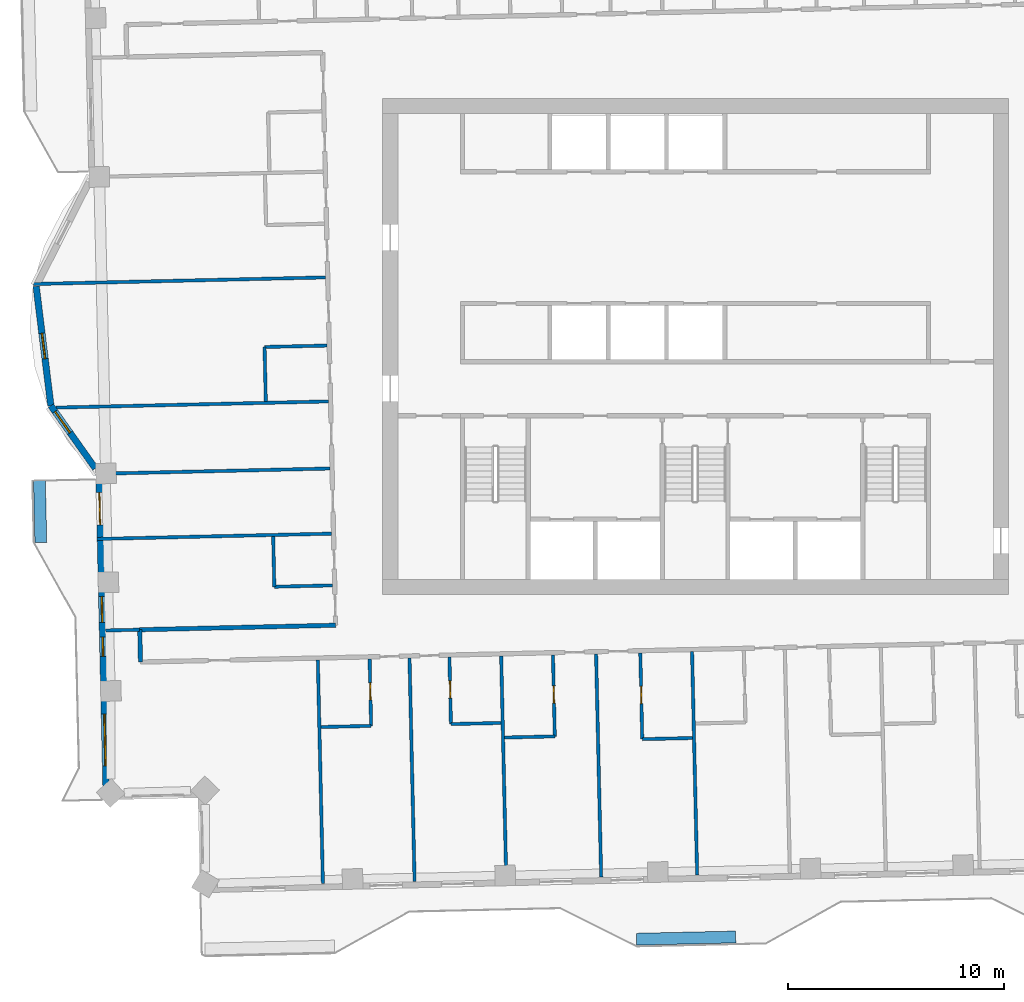
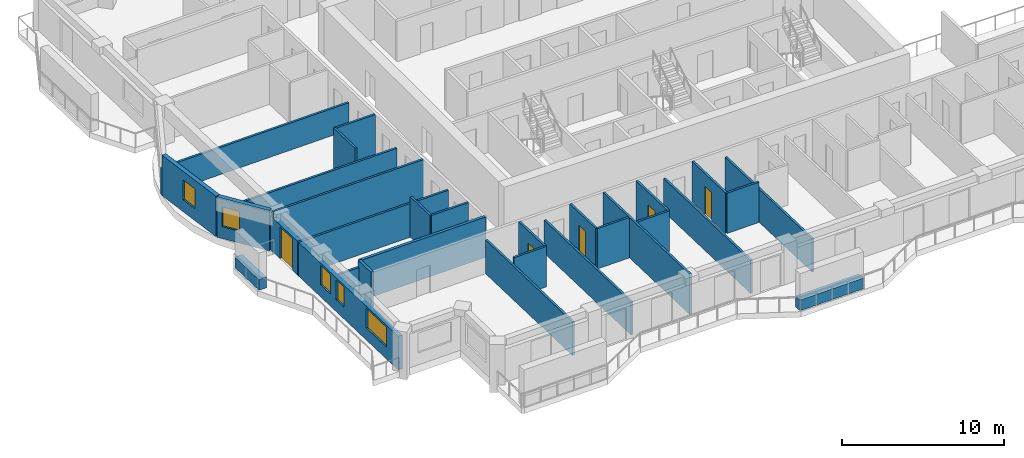
# One storey, part 8 of 19: 29 walls, 5 doors, 5 windows, 10 openings.
"""IFC4 building model written with IfcOpenShell, lengths in metres."""

from ifc_helpers import new_model, si_unit, direction, frame, frame_2d, origin, place, context, subcontext, project, spatial, rectangle, extrude, material, layer, layer_set, type_object, element, fill, save


model = new_model("IFC4")

# Units and contexts
model_context = context("Model", 3, precision=1e-05, world=origin(), true_north=direction((0.0, 1.0)))
body_context = subcontext(model_context, "Body", "Model", "MODEL_VIEW")
ifc_project = project(units=[si_unit("LENGTHUNIT", "METRE"), si_unit("AREAUNIT", "SQUARE_METRE"), si_unit("VOLUMEUNIT", "CUBIC_METRE"), si_unit("PLANEANGLEUNIT", "RADIAN"), si_unit("MASSUNIT", "GRAM", prefix="KILO")], contexts=[model_context])

# Site, building, storey
site_placement = place(None, origin())
site = spatial("IfcSite", under=ifc_project, at=site_placement, CompositionType="ELEMENT")
building_placement = place(site_placement, origin())
building = spatial("IfcBuilding", under=site, at=building_placement, Name="Mangrove Gate Tower", CompositionType="ELEMENT")
storey_placement = place(building_placement, frame((0.0, 0.0, 283.5)))
storey = spatial("IfcBuildingStorey", under=building, at=storey_placement, Name="L72", CompositionType="ELEMENT", Elevation=283.5)

# Walls
ifc_material_1 = material(Name="Gypsum board on steel stud, EI 60", Category="steel")
ifc_layer_1 = layer(ifc_material_1, 0.199951171875)
ifc_layer_set_1 = layer_set([ifc_layer_1], Name="Corridor wall EI 60")
wall_type_1 = type_object("IfcWallType", Name="Corridor wall EI 60", PredefinedType="PARTITIONING", material=ifc_layer_set_1)
wall_1_placement = place(storey_placement, frame((-25.72802734375, -14.6240234375, 0.0), z_axis=(0.0, 0.0, 1.0), x_axis=(-0.022632637625, 0.99974384905, 0.0)))
element("IfcWall", 1, at=wall_1_placement, inside=storey, type_object=wall_type_1, Name="WALL-L72-029", PredefinedType="PARTITIONING", context=body_context, shape_type="SweptSolid", body=[
    extrude(rectangle(XDim=1.49951171875, YDim=0.199951171875, at=frame_2d((0.749755859375, 0.0))), origin(), (0.0, 0.0, 1.0), 3.050048828125),
])
wall_2_placement = place(storey_placement, frame((-25.764892578125, -13.125, 0.0), z_axis=(0.0, 0.0, 1.0), x_axis=(0.999740502457, 0.022779985654, 0.0)))
element("IfcWall", 2, at=wall_2_placement, inside=storey, type_object=wall_type_1, Name="WALL-L72-032", PredefinedType="PARTITIONING", context=body_context, shape_type="SweptSolid", body=[
    extrude(rectangle(XDim=9.08837890625, YDim=0.199951171875, at=frame_2d((4.544189453125, 0.0))), origin(), (0.0, 0.0, 1.0), 3.050048828125),
])

# Wall, opening, window
ifc_material_2 = material(Name="Limestone", Category="masonry")
ifc_layer_2 = layer(ifc_material_2, 0.0400390625, Name="Limestone cladding")
ifc_material_3 = material(Name="Ventilated air gap")
ifc_layer_3 = layer(ifc_material_3, 0.0400390625, Name="Ventilated cavity")
ifc_material_4 = material(Name="Mineral wool insulation")
ifc_layer_4 = layer(ifc_material_4, 0.06005859375, Name="Insulation")
ifc_material_5 = material(Name="Breather membrane")
ifc_layer_5 = layer(ifc_material_5, 0.001953125, Name="Breather membrane")
ifc_material_6 = material(Name="Concrete C20/25 blockwork", Category="masonry")
ifc_layer_6 = layer(ifc_material_6, 0.14990234375, Name="Blockwork backing wall")
ifc_material_7 = material(Name="Gypsum plaster")
ifc_layer_7 = layer(ifc_material_7, 0.008056640625, Name="Internal plaster")
ifc_layer_set_2 = layer_set([ifc_layer_2, ifc_layer_3, ifc_layer_4, ifc_layer_5, ifc_layer_6, ifc_layer_7], Name="External wall 300 limestone cladding")
wall_type_2 = type_object("IfcWallType", Name="External wall 300 limestone cladding", PredefinedType="SOLIDWALL", material=ifc_layer_set_2)
wall_3_placement = place(storey_placement, frame((-30.56396484375, 2.7939453125, 0.0), z_axis=(0.0, 0.0, 1.0), x_axis=(0.122163831021, -0.992509948761, 0.0)))
wall_3 = element("IfcWall", 3, at=wall_3_placement, inside=storey, type_object=wall_type_2, Name="WALL-L72-W9f2", PredefinedType="SOLIDWALL", context=body_context, shape_type="SweptSolid", body=[
    extrude(rectangle(XDim=5.57373046875, YDim=0.300048828125, at=frame_2d((2.786865234375, 0.0))), origin(), (0.0, 0.0, 1.0), 3.050048828125),
])
opening_1_placement = place(wall_3_placement, frame((2.18701171875, 0.0, 0.89990234375)))
opening_1 = element("IfcOpeningElement", 4, at=opening_1_placement, cuts=wall_3, Name="Opening W1", PredefinedType="OPENING", context=body_context, shape_type="SweptSolid", body=[
    extrude(rectangle(XDim=1.199951171875, YDim=1.5, at=frame_2d((0.60009765625, 0.75))), frame((0.0, 0.159912109375, 0.0), z_axis=(0.0, -1.0, 0.0), x_axis=(1.0, 0.0, 0.0)), (0.0, 0.0, 1.0), 0.320068359375),
])
ifc_material_8 = material(Name="Aluminium frame with double-glazed low-e glass", Category="aluminium")
window_type_1 = type_object("IfcWindowType", Name="Side lite 1200x1500", PartitioningType="SINGLE_PANEL", PredefinedType="WINDOW", material=ifc_material_8)
window_1_placement = place(opening_1_placement, origin())
window_1 = element("IfcWindow", 5, at=window_1_placement, inside=storey, type_object=window_type_1, Name="WIN-L72-W9f2", OverallHeight=1.5, OverallWidth=1.199951171875, PartitioningType="SINGLE_PANEL", PredefinedType="WINDOW", context=body_context, shape_type="SweptSolid", body=[
    extrude(rectangle(XDim=1.199951171875, YDim=1.5, at=frame_2d((0.60009765625, 0.75))), frame((0.0, 0.030029296875, 0.0), z_axis=(0.0, -1.0, 0.0), x_axis=(1.0, 0.0, 0.0)), (0.0, 0.0, 1.0), 0.06005859375),
])
fill(opening_1, window_1)

wall_4_placement = place(storey_placement, frame((-29.883056640625, -2.738037109375, 0.0), z_axis=(0.0, 0.0, 1.0), x_axis=(0.578095163598, -0.815969351033, 0.0)))
wall_4 = element("IfcWall", 6, at=wall_4_placement, inside=storey, type_object=wall_type_2, Name="WALL-L72-W9f3", PredefinedType="SOLIDWALL", context=body_context, shape_type="SweptSolid", body=[
    extrude(rectangle(XDim=3.568603515625, YDim=0.300048828125, at=frame_2d((1.7841796875, 0.0))), origin(), (0.0, 0.0, 1.0), 3.050048828125),
])
opening_2_placement = place(wall_4_placement, frame((0.337890625, 0.0, 0.89990234375)))
opening_2 = element("IfcOpeningElement", 7, at=opening_2_placement, cuts=wall_4, Name="Opening W1", PredefinedType="OPENING", context=body_context, shape_type="SweptSolid", body=[
    extrude(rectangle(XDim=1.199951171875, YDim=1.5, at=frame_2d((0.60009765625, 0.75))), frame((0.0, 0.159912109375, 0.0), z_axis=(0.0, -1.0, 0.0), x_axis=(1.0, 0.0, 0.0)), (0.0, 0.0, 1.0), 0.320068359375),
])
window_2_placement = place(opening_2_placement, origin())
window_2 = element("IfcWindow", 8, at=window_2_placement, inside=storey, type_object=window_type_1, Name="WIN-L72-W9f3", OverallHeight=1.5, OverallWidth=1.199951171875, PartitioningType="SINGLE_PANEL", PredefinedType="WINDOW", context=body_context, shape_type="SweptSolid", body=[
    extrude(rectangle(XDim=1.199951171875, YDim=1.5, at=frame_2d((0.60009765625, 0.75))), frame((0.0, 0.030029296875, 0.0), z_axis=(0.0, -1.0, 0.0), x_axis=(1.0, 0.0, 0.0)), (0.0, 0.0, 1.0), 0.06005859375),
])
fill(opening_2, window_2)

# Wall, openings, door, windows
wall_5_placement = place(storey_placement, frame((-27.6650390625, -5.416015625, 0.0), z_axis=(0.0, 0.0, 1.0), x_axis=(0.022660024814, -0.999743228672, 0.0)))
wall_5 = element("IfcWall", 9, at=wall_5_placement, inside=storey, type_object=wall_type_2, Name="WALL-L72-W10s1", PredefinedType="SOLIDWALL", context=body_context, shape_type="SweptSolid", body=[
    extrude(rectangle(XDim=15.449951171875, YDim=0.300048828125, at=frame_2d((7.72509765625, 0.0))), origin(), (0.0, 0.0, 1.0), 2.550048828125),
])
opening_3_placement = place(wall_5_placement, frame((1.35009765625, 0.0, 0.0)))
opening_3 = element("IfcOpeningElement", 10, at=opening_3_placement, cuts=wall_5, Name="Opening BD1", PredefinedType="OPENING", context=body_context, shape_type="SweptSolid", body=[
    extrude(rectangle(XDim=1.5, YDim=2.39990234375, at=frame_2d((0.75, 1.199951171875))), frame((0.0, 0.159912109375, 0.0), z_axis=(0.0, -1.0, 0.0), x_axis=(1.0, 0.0, 0.0)), (0.0, 0.0, 1.0), 0.320068359375),
])
opening_4_placement = place(wall_5_placement, frame((6.1708984375, 0.0, 0.89990234375)))
opening_4 = element("IfcOpeningElement", 11, at=opening_4_placement, cuts=wall_5, Name="Opening W1", PredefinedType="OPENING", context=body_context, shape_type="SweptSolid", body=[
    extrude(rectangle(XDim=1.199951171875, YDim=1.5, at=frame_2d((0.60009765625, 0.75))), frame((0.0, 0.159912109375, 0.0), z_axis=(0.0, -1.0, 0.0), x_axis=(1.0, 0.0, 0.0)), (0.0, 0.0, 1.0), 0.320068359375),
])
opening_5_placement = place(wall_5_placement, frame((8.050048828125, 0.0, 0.89990234375)))
opening_5 = element("IfcOpeningElement", 12, at=opening_5_placement, cuts=wall_5, Name="Opening W5", PredefinedType="OPENING", context=body_context, shape_type="SweptSolid", body=[
    extrude(rectangle(XDim=0.89990234375, YDim=1.5, at=frame_2d((0.449951171875, 0.75))), frame((0.0, 0.159912109375, 0.0), z_axis=(0.0, -1.0, 0.0), x_axis=(1.0, 0.0, 0.0)), (0.0, 0.0, 1.0), 0.320068359375),
])
opening_6_placement = place(wall_5_placement, frame((11.625, 0.0, 0.89990234375)))
opening_6 = element("IfcOpeningElement", 13, at=opening_6_placement, cuts=wall_5, Name="Opening W2", PredefinedType="OPENING", context=body_context, shape_type="SweptSolid", body=[
    extrude(rectangle(XDim=2.39990234375, YDim=1.5, at=frame_2d((1.199951171875, 0.75))), frame((0.0, 0.159912109375, 0.0), z_axis=(0.0, -1.0, 0.0), x_axis=(1.0, 0.0, 0.0)), (0.0, 0.0, 1.0), 0.320068359375),
])
ifc_material_9 = material(Name="Aluminium frame with laminated clear glass", Category="aluminium")
door_type_1 = type_object("IfcDoorType", Name="Balcony sliding door 1500x2400", OperationType="SLIDING_TO_LEFT", PredefinedType="DOOR", material=ifc_material_9)
door_1_placement = place(opening_3_placement, origin())
door_1 = element("IfcDoor", 14, at=door_1_placement, inside=storey, type_object=door_type_1, Name="DOOR-L72-W10-1", OperationType="SLIDING_TO_LEFT", OverallHeight=2.39990234375, OverallWidth=1.5, PredefinedType="DOOR", context=body_context, shape_type="SweptSolid", body=[
    extrude(rectangle(XDim=1.5, YDim=2.39990234375, at=frame_2d((0.75, 1.199951171875))), frame((0.0, 0.02490234375, 0.0), z_axis=(0.0, -1.0, 0.0), x_axis=(1.0, 0.0, 0.0)), (0.0, 0.0, 1.0), 0.050048828125),
])
fill(opening_3, door_1)
ifc_material_10 = material(Name="Aluminium frame with double-glazed low-e glass", Category="aluminium")
window_type_2 = type_object("IfcWindowType", Name="Corner room window 2400x1500", PartitioningType="DOUBLE_PANEL_VERTICAL", PredefinedType="WINDOW", material=ifc_material_10)
window_3_placement = place(opening_6_placement, origin())
window_3 = element("IfcWindow", 15, at=window_3_placement, inside=storey, type_object=window_type_2, Name="WIN-L72-W10-4", OverallHeight=1.5, OverallWidth=2.39990234375, PartitioningType="DOUBLE_PANEL_VERTICAL", PredefinedType="WINDOW", context=body_context, shape_type="SweptSolid", body=[
    extrude(rectangle(XDim=2.39990234375, YDim=1.5, at=frame_2d((1.199951171875, 0.75))), frame((0.0, 0.030029296875, 0.0), z_axis=(0.0, -1.0, 0.0), x_axis=(1.0, 0.0, 0.0)), (0.0, 0.0, 1.0), 0.06005859375),
])
fill(opening_6, window_3)
ifc_material_11 = material(Name="Aluminium frame with double-glazed low-e glass", Category="aluminium")
window_type_3 = type_object("IfcWindowType", Name="Narrow window 900x1500", PartitioningType="SINGLE_PANEL", PredefinedType="WINDOW", material=ifc_material_11)
window_4_placement = place(opening_5_placement, origin())
window_4 = element("IfcWindow", 16, at=window_4_placement, inside=storey, type_object=window_type_3, Name="WIN-L72-W10-3", OverallHeight=1.5, OverallWidth=0.89990234375, PartitioningType="SINGLE_PANEL", PredefinedType="WINDOW", context=body_context, shape_type="SweptSolid", body=[
    extrude(rectangle(XDim=0.89990234375, YDim=1.5, at=frame_2d((0.449951171875, 0.75))), frame((0.0, 0.030029296875, 0.0), z_axis=(0.0, -1.0, 0.0), x_axis=(1.0, 0.0, 0.0)), (0.0, 0.0, 1.0), 0.06005859375),
])
fill(opening_5, window_4)
window_5_placement = place(opening_4_placement, origin())
window_5 = element("IfcWindow", 17, at=window_5_placement, inside=storey, type_object=window_type_1, Name="WIN-L72-W10-2", OverallHeight=1.5, OverallWidth=1.199951171875, PartitioningType="SINGLE_PANEL", PredefinedType="WINDOW", context=body_context, shape_type="SweptSolid", body=[
    extrude(rectangle(XDim=1.199951171875, YDim=1.5, at=frame_2d((0.60009765625, 0.75))), frame((0.0, 0.030029296875, 0.0), z_axis=(0.0, -1.0, 0.0), x_axis=(1.0, 0.0, 0.0)), (0.0, 0.0, 1.0), 0.06005859375),
])
fill(opening_4, window_5)

# Walls
ifc_material_12 = material(Name="Gypsum board on steel stud, EI 60", Category="steel")
ifc_layer_8 = layer(ifc_material_12, 0.14990234375)
ifc_layer_set_3 = layer_set([ifc_layer_8], Name="Party wall 150 EI 60")
wall_type_3 = type_object("IfcWallType", Name="Party wall 150 EI 60", PredefinedType="PARTITIONING", material=ifc_layer_set_3)
wall_6_placement = place(storey_placement, frame((-17.27294921875, -24.885009765625, 0.0), z_axis=(0.0, 0.0, 1.0), x_axis=(-0.022716582742, 0.999741945138, 0.0)))
element("IfcWall", 18, at=wall_6_placement, inside=storey, type_object=wall_type_3, Name="WALL-L72-001", PredefinedType="PARTITIONING", context=body_context, shape_type="SweptSolid", body=[
    extrude(rectangle(XDim=10.349609375, YDim=0.14990234375, at=frame_2d((5.1748046875, 0.0))), origin(), (0.0, 0.0, 1.0), 2.550048828125),
])
wall_7_placement = place(storey_placement, frame((-13.02392578125, -24.7890625, 0.0), z_axis=(0.0, 0.0, 1.0), x_axis=(-0.022713904397, 0.999742005993, 0.0)))
element("IfcWall", 19, at=wall_7_placement, inside=storey, type_object=wall_type_3, Name="WALL-L72-002", PredefinedType="PARTITIONING", context=body_context, shape_type="SweptSolid", body=[
    extrude(rectangle(XDim=10.350830078125, YDim=0.14990234375, at=frame_2d((5.17529296875, 0.0))), origin(), (0.0, 0.0, 1.0), 2.5),
])
wall_8_placement = place(storey_placement, frame((-8.77490234375, -24.69189453125, 0.0), z_axis=(0.0, 0.0, 1.0), x_axis=(-0.022716582742, 0.999741945138, 0.0)))
element("IfcWall", 20, at=wall_8_placement, inside=storey, type_object=wall_type_3, Name="WALL-L72-003", PredefinedType="PARTITIONING", context=body_context, shape_type="SweptSolid", body=[
    extrude(rectangle(XDim=10.349609375, YDim=0.14990234375, at=frame_2d((5.1748046875, 0.0))), origin(), (0.0, 0.0, 1.0), 3.050048828125),
])
for number, where, z_axis, x_axis, name in (
    (21, (-4.3759765625, -24.593017578125, 0.0), (0.0, 0.0, 1.0), (-0.022714440015, 0.999741993824, 0.0), "WALL-L72-004"),
    (22, (0.072998046875, -24.491943359375, 0.0), (0.0, 0.0, 1.0), (-0.022714440015, 0.999741993824, 0.0), "WALL-L72-005"),
):
    element("IfcWall", number, at=place(storey_placement, frame(where, z_axis=z_axis, x_axis=x_axis)), inside=storey, type_object=wall_type_3, Name=name, PredefinedType="PARTITIONING", context=body_context, shape_type="SweptSolid", body=[
        extrude(rectangle(XDim=10.3505859375, YDim=0.14990234375, at=frame_2d((5.17529296875, 0.0))), origin(), (0.0, 0.0, 1.0), 2.5),
    ])

# Wall, opening, door
wall_9_placement = place(storey_placement, frame((-2.470947265625, -18.197021484375, 0.0), z_axis=(0.0, 0.0, 1.0), x_axis=(-0.022765770952, 0.999740826251, 0.0)))
wall_9 = element("IfcWall", 23, at=wall_9_placement, inside=storey, type_object=wall_type_3, Name="WALL-L72-011", PredefinedType="PARTITIONING", context=body_context, shape_type="SweptSolid", body=[
    extrude(rectangle(XDim=4.0, YDim=0.14990234375, at=frame_2d((2.0, 0.0))), origin(), (0.0, 0.0, 1.0), 3.050048828125),
])
opening_7_placement = place(wall_9_placement, frame((1.64990234375, 0.0, 0.0)))
opening_7 = element("IfcOpeningElement", 24, at=opening_7_placement, cuts=wall_9, Name="Opening ED", PredefinedType="OPENING", context=body_context, shape_type="SweptSolid", body=[
    extrude(rectangle(XDim=0.800048828125, YDim=2.10009765625, at=frame_2d((0.39990234375, 1.050048828125))), frame((0.0, 0.0849609375, 0.0), z_axis=(0.0, -1.0, 0.0), x_axis=(1.0, 0.0, 0.0)), (0.0, 0.0, 1.0), 0.169921875),
])
ifc_material_13 = material(Name="Timber door leaf", Category="wood")
door_type_2 = type_object("IfcDoorType", Name="En-suite door 800", OperationType="SINGLE_SWING_LEFT", PredefinedType="DOOR", material=ifc_material_13)
door_2_placement = place(opening_7_placement, origin())
door_2 = element("IfcDoor", 25, at=door_2_placement, inside=storey, type_object=door_type_2, Name="DOOR-L72-ENS-c104", OperationType="SINGLE_SWING_RIGHT", OverallHeight=2.10009765625, OverallWidth=0.800048828125, PredefinedType="DOOR", context=body_context, shape_type="SweptSolid", body=[
    extrude(rectangle(XDim=0.800048828125, YDim=2.10009765625, at=frame_2d((0.39990234375, 1.050048828125))), frame((0.0, 0.02490234375, 0.0), z_axis=(0.0, -1.0, 0.0), x_axis=(1.0, 0.0, 0.0)), (0.0, 0.0, 1.0), 0.050048828125),
])
fill(opening_7, door_2)

# Walls
wall_10_placement = place(storey_placement, frame((-2.468994140625, -18.197021484375, 0.0), z_axis=(0.0, 0.0, 1.0), x_axis=(0.999749954681, 0.022361308448, 0.0)))
element("IfcWall", 26, at=wall_10_placement, inside=storey, type_object=wall_type_3, Name="WALL-L72-012", PredefinedType="PARTITIONING", context=body_context, shape_type="SweptSolid", body=[
    extrude(rectangle(XDim=2.325439453125, YDim=0.14990234375, at=frame_2d((1.16259765625, 0.0))), origin(), (0.0, 0.0, 1.0), 3.050048828125),
])
wall_11_placement = place(storey_placement, frame((-8.846923828125, -18.1220703125, 0.0), z_axis=(0.0, 0.0, 1.0), x_axis=(0.999740260747, 0.02279059109, 0.0)))
element("IfcWall", 27, at=wall_11_placement, inside=storey, type_object=wall_type_3, Name="WALL-L72-015", PredefinedType="PARTITIONING", context=body_context, shape_type="SweptSolid", body=[
    extrude(rectangle(XDim=2.324462890625, YDim=0.14990234375, at=frame_2d((1.162109375, 0.0))), origin(), (0.0, 0.0, 1.0), 3.050048828125),
])

# Wall, opening, door
wall_12_placement = place(storey_placement, frame((-6.52490234375, -18.069091796875, 0.0), z_axis=(0.0, 0.0, 1.0), x_axis=(-0.022540947495, 0.999745920565, 0.0)))
wall_12 = element("IfcWall", 28, at=wall_12_placement, inside=storey, type_object=wall_type_3, Name="WALL-L72-016", PredefinedType="PARTITIONING", context=body_context, shape_type="SweptSolid", body=[
    extrude(rectangle(XDim=3.780029296875, YDim=0.14990234375, at=frame_2d((1.89013671875, 0.0))), origin(), (0.0, 0.0, 1.0), 3.050048828125),
])
opening_8_placement = place(wall_12_placement, frame((1.5400390625, 0.0, 0.0)))
opening_8 = element("IfcOpeningElement", 29, at=opening_8_placement, cuts=wall_12, Name="Opening ED", PredefinedType="OPENING", context=body_context, shape_type="SweptSolid", body=[
    extrude(rectangle(XDim=0.800048828125, YDim=2.10009765625, at=frame_2d((0.39990234375, 1.050048828125))), frame((0.0, 0.0849609375, 0.0), z_axis=(0.0, -1.0, 0.0), x_axis=(1.0, 0.0, 0.0)), (0.0, 0.0, 1.0), 0.169921875),
])
door_3_placement = place(opening_8_placement, origin())
door_3 = element("IfcDoor", 30, at=door_3_placement, inside=storey, type_object=door_type_2, Name="DOOR-L72-ENS-c103", OperationType="SINGLE_SWING_LEFT", OverallHeight=2.10009765625, OverallWidth=0.800048828125, PredefinedType="DOOR", context=body_context, shape_type="SweptSolid", body=[
    extrude(rectangle(XDim=0.800048828125, YDim=2.10009765625, at=frame_2d((0.39990234375, 1.050048828125))), frame((0.0, 0.02490234375, 0.0), z_axis=(0.0, -1.0, 0.0), x_axis=(1.0, 0.0, 0.0)), (0.0, 0.0, 1.0), 0.050048828125),
])
fill(opening_8, door_3)

# Wall
wall_13_placement = place(storey_placement, frame((-17.360107421875, -17.635009765625, 0.0), z_axis=(0.0, 0.0, 1.0), x_axis=(0.99974031529, 0.022788198363, 0.0)))
element("IfcWall", 31, at=wall_13_placement, inside=storey, type_object=wall_type_3, Name="WALL-L72-024", PredefinedType="PARTITIONING", context=body_context, shape_type="SweptSolid", body=[
    extrude(rectangle(XDim=2.32470703125, YDim=0.14990234375, at=frame_2d((1.162353515625, 0.0))), origin(), (0.0, 0.0, 1.0), 3.050048828125),
])

# Wall, opening, door
wall_14_placement = place(storey_placement, frame((-15.0380859375, -17.58203125, 0.0), z_axis=(0.0, 0.0, 1.0), x_axis=(-0.022524613091, 0.999746288718, 0.0)))
wall_14 = element("IfcWall", 32, at=wall_14_placement, inside=storey, type_object=wall_type_3, Name="WALL-L72-025", PredefinedType="PARTITIONING", context=body_context, shape_type="SweptSolid", body=[
    extrude(rectangle(XDim=3.099853515625, YDim=0.14990234375, at=frame_2d((1.5498046875, 0.0))), origin(), (0.0, 0.0, 1.0), 3.050048828125),
])
opening_9_placement = place(wall_14_placement, frame((1.199951171875, 0.0, 0.0)))
opening_9 = element("IfcOpeningElement", 33, at=opening_9_placement, cuts=wall_14, Name="Opening ED", PredefinedType="OPENING", context=body_context, shape_type="SweptSolid", body=[
    extrude(rectangle(XDim=0.800048828125, YDim=2.10009765625, at=frame_2d((0.39990234375, 1.050048828125))), frame((0.0, 0.0849609375, 0.0), z_axis=(0.0, -1.0, 0.0), x_axis=(1.0, 0.0, 0.0)), (0.0, 0.0, 1.0), 0.169921875),
])
door_4_placement = place(opening_9_placement, origin())
door_4 = element("IfcDoor", 34, at=door_4_placement, inside=storey, type_object=door_type_2, Name="DOOR-L72-ENS-c101", OperationType="SINGLE_SWING_LEFT", OverallHeight=2.10009765625, OverallWidth=0.800048828125, PredefinedType="DOOR", context=body_context, shape_type="SweptSolid", body=[
    extrude(rectangle(XDim=0.800048828125, YDim=2.10009765625, at=frame_2d((0.39990234375, 1.050048828125))), frame((0.0, 0.02490234375, 0.0), z_axis=(0.0, -1.0, 0.0), x_axis=(1.0, 0.0, 0.0)), (0.0, 0.0, 1.0), 0.050048828125),
])
fill(opening_9, door_4)

wall_15_placement = place(storey_placement, frame((-11.339111328125, -17.498046875, 0.0), z_axis=(0.0, 0.0, 1.0), x_axis=(-0.022524613091, 0.999746288718, 0.0)))
wall_15 = element("IfcWall", 35, at=wall_15_placement, inside=storey, type_object=wall_type_3, Name="WALL-L72-026", PredefinedType="PARTITIONING", context=body_context, shape_type="SweptSolid", body=[
    extrude(rectangle(XDim=3.099853515625, YDim=0.14990234375, at=frame_2d((1.5498046875, 0.0))), origin(), (0.0, 0.0, 1.0), 3.050048828125),
])
opening_10_placement = place(wall_15_placement, frame((1.199951171875, 0.0, 0.0)))
opening_10 = element("IfcOpeningElement", 36, at=opening_10_placement, cuts=wall_15, Name="Opening ED", PredefinedType="OPENING", context=body_context, shape_type="SweptSolid", body=[
    extrude(rectangle(XDim=0.800048828125, YDim=2.10009765625, at=frame_2d((0.39990234375, 1.050048828125))), frame((0.0, 0.0849609375, 0.0), z_axis=(0.0, -1.0, 0.0), x_axis=(1.0, 0.0, 0.0)), (0.0, 0.0, 1.0), 0.169921875),
])
door_5_placement = place(opening_10_placement, origin())
door_5 = element("IfcDoor", 37, at=door_5_placement, inside=storey, type_object=door_type_2, Name="DOOR-L72-ENS-c102", OperationType="SINGLE_SWING_RIGHT", OverallHeight=2.10009765625, OverallWidth=0.800048828125, PredefinedType="DOOR", context=body_context, shape_type="SweptSolid", body=[
    extrude(rectangle(XDim=0.800048828125, YDim=2.10009765625, at=frame_2d((0.39990234375, 1.050048828125))), frame((0.0, 0.02490234375, 0.0), z_axis=(0.0, -1.0, 0.0), x_axis=(1.0, 0.0, 0.0)), (0.0, 0.0, 1.0), 0.050048828125),
])
fill(opening_10, door_5)

# Walls
wall_16_placement = place(storey_placement, frame((-11.3369140625, -17.498046875, 0.0), z_axis=(0.0, 0.0, 1.0), x_axis=(0.999749744571, 0.022370700241, 0.0)))
element("IfcWall", 38, at=wall_16_placement, inside=storey, type_object=wall_type_3, Name="WALL-L72-027", PredefinedType="PARTITIONING", context=body_context, shape_type="SweptSolid", body=[
    extrude(rectangle(XDim=2.324462890625, YDim=0.14990234375, at=frame_2d((1.162109375, 0.0))), origin(), (0.0, 0.0, 1.0), 3.050048828125),
])
wall_17_placement = place(storey_placement, frame((-27.339111328125, -13.159912109375, 0.0), z_axis=(0.0, 0.0, 1.0), x_axis=(0.999754171712, 0.022171967518, 0.0)))
element("IfcWall", 39, at=wall_17_placement, inside=storey, type_object=wall_type_3, Name="WALL-L72-031", PredefinedType="PARTITIONING", context=body_context, shape_type="SweptSolid", body=[
    extrude(rectangle(XDim=1.57470703125, YDim=0.14990234375, at=frame_2d((0.787353515625, 0.0))), origin(), (0.0, 0.0, 1.0), 2.550048828125),
])
wall_18_placement = place(storey_placement, frame((-19.52490234375, -11.133056640625, 0.0), z_axis=(0.0, 0.0, 1.0), x_axis=(-0.022781023197, 0.999740478815, 0.0)))
element("IfcWall", 40, at=wall_18_placement, inside=storey, type_object=wall_type_3, Name="WALL-L72-037", PredefinedType="PARTITIONING", context=body_context, shape_type="SweptSolid", body=[
    extrude(rectangle(XDim=2.325439453125, YDim=0.14990234375, at=frame_2d((1.16259765625, 0.0))), origin(), (0.0, 0.0, 1.0), 3.050048828125),
])
wall_19_placement = place(storey_placement, frame((-19.52001953125, -11.132080078125, 0.0), z_axis=(0.0, 0.0, 1.0), x_axis=(0.999744396973, 0.02260842146, 0.0)))
element("IfcWall", 41, at=wall_19_placement, inside=storey, type_object=wall_type_3, Name="WALL-L72-038", PredefinedType="PARTITIONING", context=body_context, shape_type="SweptSolid", body=[
    extrude(rectangle(XDim=2.69970703125, YDim=0.14990234375, at=frame_2d((1.349853515625, 0.0))), origin(), (0.0, 0.0, 1.0), 3.050048828125),
])
wall_20_placement = place(storey_placement, frame((-27.736083984375, -8.91796875, 0.0), z_axis=(0.0, 0.0, 1.0), x_axis=(0.999743862053, 0.02263206324, 0.0)))
element("IfcWall", 42, at=wall_20_placement, inside=storey, type_object=wall_type_3, Name="WALL-L72-039", PredefinedType="PARTITIONING", context=body_context, shape_type="SweptSolid", body=[
    extrude(rectangle(XDim=10.86279296875, YDim=0.14990234375, at=frame_2d((5.431396484375, 0.0))), origin(), (0.0, 0.0, 1.0), 2.550048828125),
])
wall_21_placement = place(storey_placement, frame((-27.803955078125, -5.89892578125, 0.0), z_axis=(0.0, 0.0, 1.0), x_axis=(0.999743850541, 0.02263257177, 0.0)))
element("IfcWall", 43, at=wall_21_placement, inside=storey, type_object=wall_type_3, Name="WALL-L72-040", PredefinedType="PARTITIONING", context=body_context, shape_type="SweptSolid", body=[
    extrude(rectangle(XDim=10.862548828125, YDim=0.14990234375, at=frame_2d((5.43115234375, 0.0))), origin(), (0.0, 0.0, 1.0), 3.050048828125),
])
wall_22_placement = place(storey_placement, frame((-19.919921875, -2.5390625, 0.0), z_axis=(0.0, 0.0, 1.0), x_axis=(-0.023013537724, 0.999735153469, 0.0)))
element("IfcWall", 44, at=wall_22_placement, inside=storey, type_object=wall_type_3, Name="WALL-L72-041", PredefinedType="PARTITIONING", context=body_context, shape_type="SweptSolid", body=[
    extrude(rectangle(XDim=2.52490234375, YDim=0.14990234375, at=frame_2d((1.262451171875, 0.0))), origin(), (0.0, 0.0, 1.0), 3.050048828125),
])
wall_23_placement = place(storey_placement, frame((-29.634033203125, -2.830078125, 0.0), z_axis=(0.0, 0.0, 1.0), x_axis=(0.999741276056, 0.022746009531, 0.0)))
element("IfcWall", 45, at=wall_23_placement, inside=storey, type_object=wall_type_3, Name="WALL-L72-042", PredefinedType="PARTITIONING", context=body_context, shape_type="SweptSolid", body=[
    extrude(rectangle(XDim=12.622314453125, YDim=0.14990234375, at=frame_2d((6.31103515625, 0.0))), origin(), (0.0, 0.0, 1.0), 2.050048828125),
])
wall_24_placement = place(storey_placement, frame((-19.972900390625, -0.02001953125, 0.0), z_axis=(0.0, 0.0, 1.0), x_axis=(0.999741748633, 0.022725229174, 0.0)))
element("IfcWall", 46, at=wall_24_placement, inside=storey, type_object=wall_type_3, Name="WALL-L72-043", PredefinedType="PARTITIONING", context=body_context, shape_type="SweptSolid", body=[
    extrude(rectangle(XDim=2.900634765625, YDim=0.14990234375, at=frame_2d((1.4501953125, 0.0))), origin(), (0.0, 0.0, 1.0), 3.050048828125),
])
wall_25_placement = place(storey_placement, frame((-30.69189453125, 2.89794921875, 0.0), z_axis=(0.0, 0.0, 1.0), x_axis=(0.999743099019, 0.022665744279, 0.0)))
element("IfcWall", 47, at=wall_25_placement, inside=storey, type_object=wall_type_3, Name="WALL-L72-044", PredefinedType="PARTITIONING", context=body_context, shape_type="SweptSolid", body=[
    extrude(rectangle(XDim=13.55029296875, YDim=0.14990234375, at=frame_2d((6.775146484375, 0.0))), origin(), (0.0, 0.0, 1.0), 2.050048828125),
])
ifc_material_14 = material(Name="Concrete C32/40", Category="concrete")
ifc_layer_9 = layer(ifc_material_14, 0.199951171875, Name="Planter trough wall")
ifc_material_15 = material(Name="Bituminous waterproofing membrane")
ifc_layer_10 = layer(ifc_material_15, 0.0048828125, Name="Waterproofing")
ifc_material_16 = material(Name="Drainage board and gravel")
ifc_layer_11 = layer(ifc_material_16, 0.044921875, Name="Drainage layer")
ifc_material_17 = material(Name="Planting soil")
ifc_layer_12 = layer(ifc_material_17, 0.300048828125, Name="Growing medium")
ifc_layer_set_4 = layer_set([ifc_layer_9, ifc_layer_10, ifc_layer_11, ifc_layer_12], Name="Planter wall 550 C32/40")
wall_type_4 = type_object("IfcWallType", Name="Planter wall 550 C32/40", PredefinedType="USERDEFINED", material=ifc_layer_set_4)
wall_26_placement = place(storey_placement, frame((-30.347900390625, -9.077880859375, 0.0), z_axis=(0.0, 0.0, 1.0), x_axis=(-0.022677031611, 0.999742843054, 0.0)))
element("IfcWall", 48, at=wall_26_placement, inside=storey, type_object=wall_type_4, Name="PLANTER L72 W1.1", ObjectType="PLANTER", PredefinedType="USERDEFINED", context=body_context, shape_type="SweptSolid", body=[
    extrude(rectangle(XDim=2.87451171875, YDim=0.550048828125, at=frame_2d((1.437255859375, 0.0))), origin(), (0.0, 0.0, 1.0), 0.800048828125),
])
wall_27_placement = place(storey_placement, frame((-2.739990234375, -27.470947265625, 0.0), z_axis=(0.0, 0.0, 1.0), x_axis=(0.999744377441, 0.022609285172, 0.0)))
element("IfcWall", 49, at=wall_27_placement, inside=storey, type_object=wall_type_4, Name="PLANTER L72 S0.2", ObjectType="PLANTER", PredefinedType="USERDEFINED", context=body_context, shape_type="SweptSolid", body=[
    extrude(rectangle(XDim=4.60009765625, YDim=0.550048828125, at=frame_2d((2.300048828125, 0.0))), origin(), (0.0, 0.0, 1.0), 0.800048828125),
])

save(model, "model.ifc")
